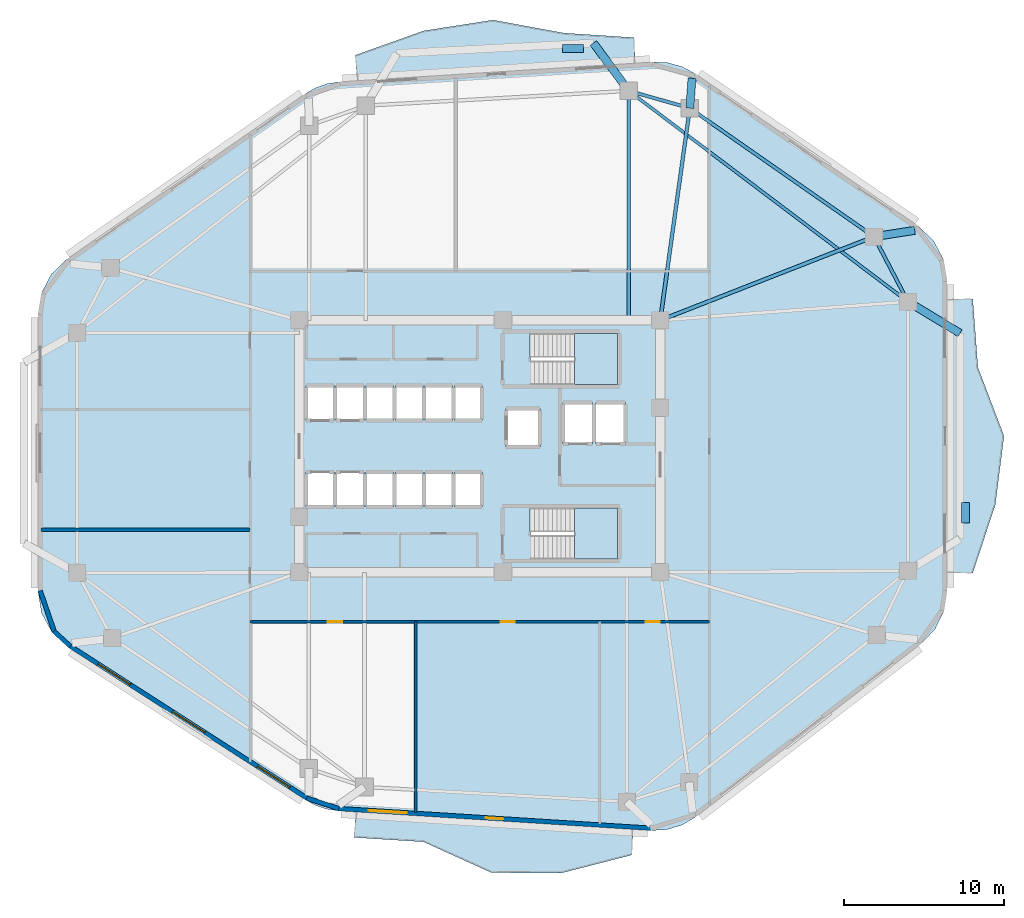
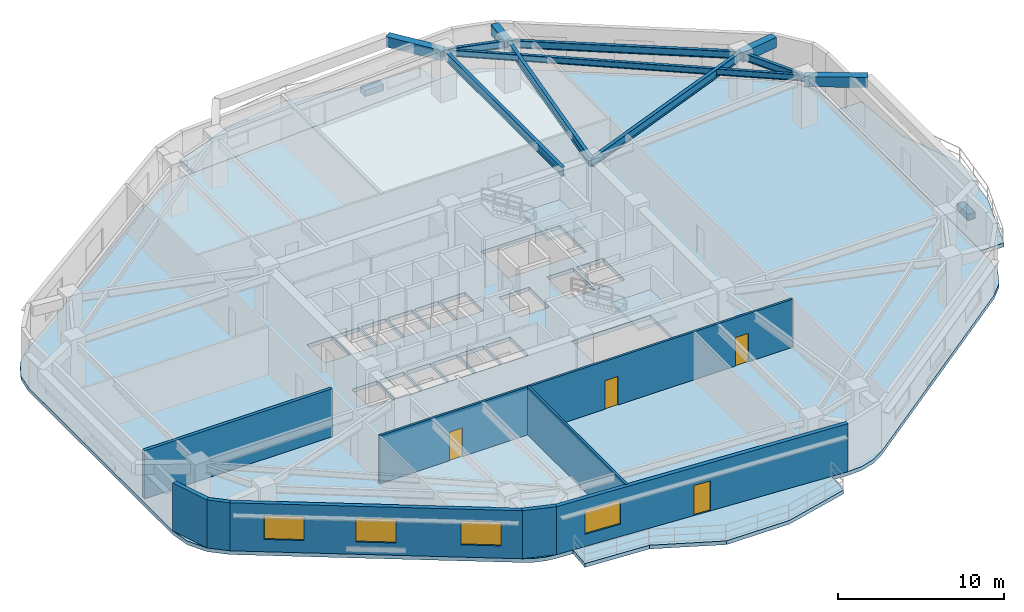
# One storey, part 2 of 8: 11 beams, 8 walls, 6 slabs, 4 doors, 4 windows, 2 plates, 8 openings, 2 elements without a shape of their own.
"""IFC4 building model written with IfcOpenShell, lengths in metres."""

import ifcopenshell
import ifcopenshell.guid

model = None  # the IFC model being written
_history = None  # IfcOwnerHistory: only IFC2X3 demands one
_inside = {}  # id of a spatial element -> (the spatial element, [elements in it])
_under = {}  # id of a project, library or spatial element -> (it, [spatial elements below it])
_declared = {}  # id of a project -> (the project, [libraries it declares])
_typed = {}  # id of a type object -> (the type object, [elements of that type])
_made_of = {}  # id of a material, layer set ... -> (it, [elements and type objects made of it])


def new_model(schema):
    """Start an empty IFC model of exactly this schema.

    Asked for "IFC4X3", IfcOpenShell would pick the latest addendum, in which some entities
    have other attributes; the version numbers below select the first issue.
    IFC2X3 requires an IfcOwnerHistory on every rooted entity: one is made here for all.
    """
    global model, _history
    if schema == "IFC4X3":
        model = ifcopenshell.file(schema_version=(4, 3, 0, 0))
    else:
        model = ifcopenshell.file(schema=schema)
    _inside.clear()
    _under.clear()
    _declared.clear()
    _typed.clear()
    _made_of.clear()
    _history = None
    if model.schema == "IFC2X3":
        org = make("IfcOrganization", Name="unknown")
        user = make(
            "IfcPersonAndOrganization",
            ThePerson=make("IfcPerson", FamilyName="unknown"),
            TheOrganization=org,
        )
        app = make(
            "IfcApplication",
            ApplicationDeveloper=org,
            Version="unknown",
            ApplicationFullName="unknown",
            ApplicationIdentifier="unknown",
        )
        _history = make(
            "IfcOwnerHistory",
            OwningUser=user,
            OwningApplication=app,
            ChangeAction="ADDED",
            CreationDate=0,
        )
    return model


def make(cls, **values):
    """One entity of the class cls with the attributes given. An attribute that is None is left unset."""
    return model.create_entity(
        cls, **{name: value for name, value in values.items() if value is not None}
    )


def rooted(cls, **values):
    """An entity with a GlobalId (a new one), such as an element, a storey or a relation."""
    return make(cls, GlobalId=ifcopenshell.guid.new(), OwnerHistory=_history, **values)


def si_unit(unit_type, name, prefix=None):
    """IfcSIUnit, for example si_unit("LENGTHUNIT", "METRE", prefix="MILLI")."""
    return make("IfcSIUnit", UnitType=unit_type, Prefix=prefix, Name=name)


def assignment(units):
    """IfcUnitAssignment: the units of a project."""
    return None if units is None else make("IfcUnitAssignment", Units=units)


def point(xyz):
    """IfcCartesianPoint."""
    return None if xyz is None else make("IfcCartesianPoint", Coordinates=xyz)


def direction(xyz):
    """IfcDirection."""
    return None if xyz is None else make("IfcDirection", DirectionRatios=xyz)


def frame(location, z_axis=None, x_axis=None):
    """IfcAxis2Placement3D, a coordinate frame: its origin and axes. An axis left out is left unset."""
    return make(
        "IfcAxis2Placement3D",
        Location=point(location),
        Axis=direction(z_axis),
        RefDirection=direction(x_axis),
    )


def frame_2d(location, x_axis=None):
    """IfcAxis2Placement2D, a coordinate frame in the plane: its origin and x axis."""
    return make(
        "IfcAxis2Placement2D", Location=point(location), RefDirection=direction(x_axis)
    )


def origin():
    """The frame at (0, 0, 0) with its axes left unset."""
    return frame((0.0, 0.0, 0.0))


def origin_2d():
    """The frame at (0, 0) in the plane with its x axis left unset."""
    return frame_2d((0.0, 0.0))


def place(relative_to, where):
    """IfcLocalPlacement: puts the frame where relative to a parent placement (None: the world)."""
    return make(
        "IfcLocalPlacement", PlacementRelTo=relative_to, RelativePlacement=where
    )


def context(
    kind, dimensions, precision=None, world=None, true_north=None, identifier=None
):
    """IfcGeometricRepresentationContext, for example the 3D "Model" context."""
    return make(
        "IfcGeometricRepresentationContext",
        ContextIdentifier=identifier,
        ContextType=kind,
        CoordinateSpaceDimension=dimensions,
        Precision=precision,
        WorldCoordinateSystem=world,
        TrueNorth=true_north,
    )


def subcontext(parent, identifier, kind, view, scale=None):
    """IfcGeometricRepresentationSubContext, for example "Body" below "Model"."""
    return make(
        "IfcGeometricRepresentationSubContext",
        ContextIdentifier=identifier,
        ContextType=kind,
        ParentContext=parent,
        TargetScale=scale,
        TargetView=view,
    )


def project(units=None, contexts=None):
    """IfcProject with its units and contexts."""
    return rooted(
        "IfcProject",
        Name="project",
        RepresentationContexts=contexts,
        UnitsInContext=assignment(units),
    )


def spatial(cls, under=None, at=None, **own):
    """A site, building, storey or space (cls), placed at a placement, below another one or the project."""
    s = rooted(cls, ObjectPlacement=at, **own)
    if under is not None:
        _under.setdefault(under.id(), (under, []))[1].append(s)
    return s


def polyline(points):
    """IfcPolyline through the points."""
    return make("IfcPolyline", Points=[point(p) for p in points])


def profile(cls, at=None, kind="AREA", **sizes):
    """A parametric profile (cls). Its sizes go by their IFC names, for example OverallWidth=200.0."""
    return make(cls, ProfileType=kind, Position=at, **sizes)


def rectangle(**sizes):
    """IfcRectangleProfileDef."""
    return profile("IfcRectangleProfileDef", **sizes)


def i_section(**sizes):
    """IfcIShapeProfileDef."""
    return profile("IfcIShapeProfileDef", **sizes)


def outline(outer, holes=None, kind="AREA"):
    """IfcArbitraryClosedProfileDef: a profile drawn as a closed curve; with holes, ...WithVoids."""
    if holes is None:
        return make("IfcArbitraryClosedProfileDef", ProfileType=kind, OuterCurve=outer)
    return make(
        "IfcArbitraryProfileDefWithVoids",
        ProfileType=kind,
        OuterCurve=outer,
        InnerCurves=holes,
    )


def extrude(swept, where, along, depth):
    """IfcExtrudedAreaSolid: the profile swept, set in the frame where, extruded along a direction by depth."""
    return make(
        "IfcExtrudedAreaSolid",
        SweptArea=swept,
        Position=where,
        ExtrudedDirection=direction(along),
        Depth=depth,
    )


def shape(context_of_items, identifier, shape_type, items):
    """IfcShapeRepresentation: the items that make up one representation, for example the "Body"."""
    return make(
        "IfcShapeRepresentation",
        ContextOfItems=context_of_items,
        RepresentationIdentifier=identifier,
        RepresentationType=shape_type,
        Items=items,
    )


def material(Name=None, Category=None):
    """IfcMaterial."""
    return make("IfcMaterial", Name=Name, Category=Category)


def layer(
    of_material, thickness, ventilated=None, Name=None, Category=None, Priority=None
):
    """IfcMaterialLayer: one layer of a wall or slab, of a material (None: an air gap)."""
    return make(
        "IfcMaterialLayer",
        Material=of_material,
        LayerThickness=thickness,
        IsVentilated=ventilated,
        Name=Name,
        Category=Category,
        Priority=Priority,
    )


def layer_set(layers, Name=None):
    """IfcMaterialLayerSet."""
    return make("IfcMaterialLayerSet", MaterialLayers=layers, LayerSetName=Name)


def material_profile(
    of_material, cross_section, Name=None, Category=None, Priority=None
):
    """IfcMaterialProfile: a cross section and its material."""
    return make(
        "IfcMaterialProfile",
        Name=Name,
        Material=of_material,
        Profile=cross_section,
        Priority=Priority,
        Category=Category,
    )


def profile_set(profiles, Name=None, composite=None):
    """IfcMaterialProfileSet."""
    return make(
        "IfcMaterialProfileSet",
        Name=Name,
        MaterialProfiles=profiles,
        CompositeProfile=composite,
    )


def made_of(thing, what):
    """Note that an element or type object is made of a material, layer set ...; save() writes the relation."""
    if what is not None:
        _made_of.setdefault(what.id(), (what, []))[1].append(thing)
    return thing


def type_object(cls, material=None, **own):
    """A type object (cls), such as IfcWallType, which elements share."""
    return made_of(rooted(cls, **own), material)


def element(
    cls,
    number,
    at=None,
    inside=None,
    cuts=None,
    type_object=None,
    material=None,
    context=None,
    identifier="Body",
    shape_type=None,
    held_by="IfcProductDefinitionShape",
    body=None,
    shapes=None,
    **own,
):
    """One element of the class cls, such as IfcWall. Its Tag is "e" and its number.

    at: its placement. inside: the storey or other place that contains it. cuts: it is an
    opening in that element (IfcRelVoidsElement). A single representation is given by context,
    identifier, shape_type and body (its items); several are given by shapes. held_by: the class
    of the entity that holds the representations. save() writes the other relations.
    """
    e = rooted(cls, Tag="e%d" % number, ObjectPlacement=at, **own)
    if body is not None:
        shapes = [shape(context, identifier, shape_type, body)]
    if shapes is not None:
        e.Representation = make(held_by, Representations=shapes)
    if inside is not None:
        _inside.setdefault(inside.id(), (inside, []))[1].append(e)
    if cuts is not None:
        rooted(
            "IfcRelVoidsElement", RelatingBuildingElement=cuts, RelatedOpeningElement=e
        )
    if type_object is not None:
        _typed.setdefault(type_object.id(), (type_object, []))[1].append(e)
    return made_of(e, material)


def fill(opening, filler):
    """IfcRelFillsElement: the door or window that sits in an opening."""
    return rooted(
        "IfcRelFillsElement",
        RelatingOpeningElement=opening,
        RelatedBuildingElement=filler,
    )


def aggregate(whole, parts):
    """IfcRelAggregates: a whole, such as a stair, and the parts it consists of."""
    return rooted("IfcRelAggregates", RelatingObject=whole, RelatedObjects=parts)


def save(model, path):
    """Write the relations noted so far, then the file.

    IfcRelAggregates (storeys below a building ...), IfcRelContainedInSpatialStructure (elements
    in a storey), IfcRelDefinesByType, IfcRelAssociatesMaterial and IfcRelDeclares: one each for
    every whole, place, type object, material and project.
    """
    for whole, parts in _under.values():
        aggregate(whole, parts)
    for where, things in _inside.values():
        rooted(
            "IfcRelContainedInSpatialStructure",
            RelatedElements=things,
            RelatingStructure=where,
        )
    for kind, things in _typed.values():
        rooted("IfcRelDefinesByType", RelatedObjects=things, RelatingType=kind)
    for what, things in _made_of.values():
        rooted("IfcRelAssociatesMaterial", RelatedObjects=things, RelatingMaterial=what)
    for by, libraries in _declared.values():
        rooted("IfcRelDeclares", RelatingContext=by, RelatedDefinitions=libraries)
    model.write(path)


model = new_model("IFC4")

# Units and contexts
model_context = context("Model", 3, precision=1e-05, world=origin(), true_north=direction((0.0, 1.0)))
body_context = subcontext(model_context, "Body", "Model", "MODEL_VIEW")
ifc_project = project(units=[si_unit("LENGTHUNIT", "METRE"), si_unit("AREAUNIT", "SQUARE_METRE"), si_unit("VOLUMEUNIT", "CUBIC_METRE"), si_unit("PLANEANGLEUNIT", "RADIAN"), si_unit("MASSUNIT", "GRAM", prefix="KILO")], contexts=[model_context])

# Site, building, storey
site_placement = place(None, origin())
site = spatial("IfcSite", under=ifc_project, at=site_placement, CompositionType="ELEMENT")
building_placement = place(site_placement, origin())
building = spatial("IfcBuilding", under=site, at=building_placement, Name="Zulverin Broadcast Headquarters", CompositionType="ELEMENT")
storey_placement = place(building_placement, frame((0.0, 0.0, 89.60009765625)))
storey = spatial("IfcBuildingStorey", under=building, at=storey_placement, Name="L22", CompositionType="ELEMENT", Elevation=89.60009765625)

# Beams
ifc_material_1 = material(Name="Concrete C40/50", Category="concrete")
ifc_material_profile_1 = material_profile(ifc_material_1, rectangle(XDim=0.5, YDim=0.75, at=origin_2d()), Name="Concrete C40/50", Category="concrete")
ifc_profile_set_1 = profile_set([ifc_material_profile_1], Name="Concrete C40/50")
beam_type_1 = type_object("IfcBeamType", Name="BM-RC-500x750", PredefinedType="BEAM", material=ifc_profile_set_1)
beam_1_placement = place(storey_placement, frame((61.630126953125, 38.298583984375, 3.14990234375), z_axis=(0.988133444256, 0.153597839639, 0.0), x_axis=(-0.153597839639, 0.988133444256, 0.0)))
element("IfcBeam", 1, at=beam_1_placement, inside=storey, type_object=beam_type_1, Name="L23 Plate Overhang Back-Spanned Beam OVR-07", PredefinedType="BEAM", context=body_context, shape_type="SweptSolid", body=[
    extrude(rectangle(XDim=0.5, YDim=0.75, at=origin_2d()), origin(), (0.0, 0.0, 1.0), 2.57177734375),
])
beam_2_placement = place(storey_placement, frame((50.121826171875, 46.325927734375, 3.14990234375), z_axis=(0.073023006252, 0.997330256514, 0.0), x_axis=(-0.997330256514, 0.073023006252, 0.0)))
element("IfcBeam", 2, at=beam_2_placement, inside=storey, type_object=beam_type_1, Name="L23 Plate Overhang Back-Spanned Beam OVR-08", PredefinedType="BEAM", context=body_context, shape_type="SweptSolid", body=[
    extrude(rectangle(XDim=0.5, YDim=0.75, at=origin_2d()), origin(), (0.0, 0.0, 1.0), 1.875732421875),
])
beam_3_placement = place(storey_placement, frame((63.75, 34.235107421875, 3.14990234375), z_axis=(0.855593685746, -0.517647993246, 0.0), x_axis=(0.517647993246, 0.855593685746, 0.0)))
element("IfcBeam", 3, at=beam_3_placement, inside=storey, type_object=beam_type_1, Name="L23 Balcony Column-Framed Cantilever BAL_E-2", PredefinedType="BEAM", context=body_context, shape_type="SweptSolid", body=[
    extrude(rectangle(XDim=0.5, YDim=0.75, at=origin_2d()), origin(), (0.0, 0.0, 1.0), 3.800048828125),
])
beam_4_placement = place(storey_placement, frame((46.30224609375, 47.4091796875, 3.14990234375), z_axis=(-0.592976836996, 0.805219517142, 0.0), x_axis=(-0.805219517142, -0.592976836996, 0.0)))
element("IfcBeam", 4, at=beam_4_placement, inside=storey, type_object=beam_type_1, Name="L23 Balcony Column-Framed Cantilever BAL_N-1", PredefinedType="BEAM", context=body_context, shape_type="SweptSolid", body=[
    extrude(rectangle(XDim=0.5, YDim=0.75, at=origin_2d()), origin(), (0.0, 0.0, 1.0), 3.7109375),
])
ifc_material_2 = material(Name="Structural steel S355JR", Category="steel")
ifc_material_profile_2 = material_profile(ifc_material_2, i_section(OverallWidth=0.19287109375, OverallDepth=0.46728515625, WebThickness=0.011474609375, FlangeThickness=0.01953125, at=origin_2d()), Name="Structural steel S355JR", Category="steel")
ifc_profile_set_2 = profile_set([ifc_material_profile_2], Name="Structural steel S355JR")
beam_type_2 = type_object("IfcBeamType", Name="BM-UB-457", PredefinedType="JOIST", material=ifc_profile_set_2)
beam_5_placement = place(storey_placement, frame((63.75, 34.235107421875, 3.291259765625), z_axis=(-0.798058136838, 0.602580459546, 0.0), x_axis=(-0.602580459546, -0.798058136838, 0.0)))
element("IfcBeam", 5, at=beam_5_placement, inside=storey, type_object=beam_type_2, Name="L22 Chordal Floor Joist J-02", PredefinedType="JOIST", context=body_context, shape_type="SweptSolid", body=[
    extrude(i_section(OverallWidth=0.19287109375, OverallDepth=0.46728515625, WebThickness=0.011474609375, FlangeThickness=0.01953125, at=origin_2d()), origin(), (0.0, 0.0, 1.0), 21.86279296875),
])
ifc_material_profile_3 = material_profile(ifc_material_2, i_section(OverallWidth=0.2119140625, OverallDepth=0.54443359375, WebThickness=0.0126953125, FlangeThickness=0.021240234375, at=origin_2d()), Name="Structural steel S355JR", Category="steel")
ifc_profile_set_3 = profile_set([ifc_material_profile_3], Name="Structural steel S355JR")
beam_type_3 = type_object("IfcBeamType", Name="BM-UB-533", PredefinedType="SPANDREL", material=ifc_profile_set_3)
beam_6_placement = place(storey_placement, frame((63.75, 34.235107421875, 3.252685546875), z_axis=(-0.462531417359, 0.886602891917, 0.0), x_axis=(-0.886602891917, -0.462531417359, 0.0)))
element("IfcBeam", 6, at=beam_6_placement, inside=storey, type_object=beam_type_3, Name="L22 Perimeter Spandrel Beam SP-06", PredefinedType="SPANDREL", context=body_context, shape_type="SweptSolid", body=[
    extrude(i_section(OverallWidth=0.2119140625, OverallDepth=0.54443359375, WebThickness=0.0126953125, FlangeThickness=0.021240234375, at=origin_2d()), origin(), (0.0, 0.0, 1.0), 4.583251953125),
])
beam_7_placement = place(storey_placement, frame((61.630126953125, 38.298583984375, 3.252685546875), z_axis=(-0.820183915206, 0.5720999434, 0.0), x_axis=(-0.5720999434, -0.820183915206, 0.0)))
element("IfcBeam", 7, at=beam_7_placement, inside=storey, type_object=beam_type_3, Name="L22 Perimeter Spandrel Beam SP-07", PredefinedType="SPANDREL", context=body_context, shape_type="SweptSolid", body=[
    extrude(i_section(OverallWidth=0.2119140625, OverallDepth=0.54443359375, WebThickness=0.0126953125, FlangeThickness=0.021240234375, at=origin_2d()), origin(), (0.0, 0.0, 1.0), 14.03125),
])
beam_8_placement = place(storey_placement, frame((50.121826171875, 46.325927734375, 3.252685546875), z_axis=(-0.962058150721, 0.272844487999, 0.0), x_axis=(-0.272844487999, -0.962058150721, 0.0)))
element("IfcBeam", 8, at=beam_8_placement, inside=storey, type_object=beam_type_3, Name="L22 Perimeter Spandrel Beam SP-08", PredefinedType="SPANDREL", context=body_context, shape_type="SweptSolid", body=[
    extrude(i_section(OverallWidth=0.2119140625, OverallDepth=0.54443359375, WebThickness=0.0126953125, FlangeThickness=0.021240234375, at=origin_2d()), origin(), (0.0, 0.0, 1.0), 3.97021484375),
])
ifc_material_profile_4 = material_profile(ifc_material_2, i_section(OverallWidth=0.230224609375, OverallDepth=0.6171875, WebThickness=0.01318359375, FlangeThickness=0.022216796875, at=origin_2d()), Name="Structural steel S355JR", Category="steel")
ifc_profile_set_4 = profile_set([ifc_material_profile_4], Name="Structural steel S355JR")
beam_type_4 = type_object("IfcBeamType", Name="BM-UB-610", PredefinedType="BEAM", material=ifc_profile_set_4)
beam_9_placement = place(storey_placement, frame((48.27490234375, 33.074951171875, 3.21630859375), z_axis=(0.931297778153, 0.364258765723, 0.0), x_axis=(-0.364258765723, 0.931297778153, 0.0)))
element("IfcBeam", 9, at=beam_9_placement, inside=storey, type_object=beam_type_4, Name="L22 Radial Primary Floor Beam RB-07", PredefinedType="BEAM", context=body_context, shape_type="SweptSolid", body=[
    extrude(i_section(OverallWidth=0.230224609375, OverallDepth=0.6171875, WebThickness=0.01318359375, FlangeThickness=0.022216796875, at=origin_2d()), origin(), (0.0, 0.0, 1.0), 14.34033203125),
])
beam_10_placement = place(storey_placement, frame((48.27490234375, 33.074951171875, 3.21630859375), z_axis=(0.138045758193, 0.990425852169, 0.0), x_axis=(-0.990425852169, 0.138045758193, 0.0)))
element("IfcBeam", 10, at=beam_10_placement, inside=storey, type_object=beam_type_4, Name="L22 Radial Primary Floor Beam RB-08", PredefinedType="BEAM", context=body_context, shape_type="SweptSolid", body=[
    extrude(i_section(OverallWidth=0.230224609375, OverallDepth=0.6171875, WebThickness=0.01318359375, FlangeThickness=0.022216796875, at=origin_2d()), origin(), (0.0, 0.0, 1.0), 13.379150390625),
])
beam_11_placement = place(storey_placement, frame((46.30224609375, 33.074951171875, 3.21630859375), z_axis=(0.0, 1.0, 0.0), x_axis=(-1.0, 0.0, 0.0)))
element("IfcBeam", 11, at=beam_11_placement, inside=storey, type_object=beam_type_4, Name="L22 Radial Primary Floor Beam RB-09", PredefinedType="BEAM", context=body_context, shape_type="SweptSolid", body=[
    extrude(i_section(OverallWidth=0.230224609375, OverallDepth=0.6171875, WebThickness=0.01318359375, FlangeThickness=0.022216796875, at=origin_2d()), origin(), (0.0, 0.0, 1.0), 14.334228515625),
])

# Plates
ifc_material_3 = material(Name="Precast concrete C45/55", Category="concrete")
ifc_layer_1 = layer(ifc_material_3, 0.449951171875, Name="Precast concrete C45/55", Category="concrete")
ifc_layer_set_1 = layer_set([ifc_layer_1], Name="Precast concrete C45/55")
plate_type = type_object("IfcPlateType", Name="PT-01_PRECAST_GFRC_TREE_PLANTER", PredefinedType="USERDEFINED", material=ifc_layer_set_1)
for number, where, z_axis, x_axis, name in (
    (12, (67.35009765625, 21.05224609375, -0.0048828125), (0.0, 0.0, 1.0), (0.0, 1.0, 0.0), "L22 Precast GFRC Tree Planter BAL_E"),
    (13, (42.825927734375, 50.04638671875, -0.0048828125), (0.0, 0.0, 1.0), (1.0, 0.0, 0.0), "L22 Precast GFRC Tree Planter BAL_N"),
):
    element("IfcPlate", number, at=place(storey_placement, frame(where, z_axis=z_axis, x_axis=x_axis)), inside=storey, type_object=plate_type, Name=name, ObjectType="PLANTER", PredefinedType="USERDEFINED", context=body_context, shape_type="SweptSolid", body=[
        extrude(rectangle(XDim=1.300048828125, YDim=0.5, at=origin_2d()), origin(), (0.0, 0.0, 1.0), 0.449951171875),
    ])

# Slabs
ifc_layer_2 = layer(ifc_material_1, 0.27490234375, Name="Concrete C40/50", Category="concrete")
ifc_layer_set_2 = layer_set([ifc_layer_2], Name="Concrete C40/50")
slab_type_1 = type_object("IfcSlabType", Name="SLB-BAL-275", PredefinedType="FLOOR", material=ifc_layer_set_2)
slab_1_placement = place(storey_placement, frame((0.0, 0.0, -0.275146484375)))
element("IfcSlab", 14, at=slab_1_placement, inside=storey, type_object=slab_type_1, Name="L22 Cantilevered Planted Balcony Slab BAL_E", PredefinedType="FLOOR", context=body_context, shape_type="SweptSolid", body=[
    extrude(outline(polyline([(66.199951171875, 34.41455078125), (66.199951171875, 17.283447265625), (67.800048828125, 17.283447265625), (69.211181640625, 21.566162109375), (69.75, 25.848876953125), (68.121337890625, 30.131591796875), (67.800048828125, 34.41455078125), (66.199951171875, 34.41455078125)])), origin(), (0.0, 0.0, 1.0), 0.275146484375),
])
slab_2_placement = place(storey_placement, frame((0.0, 0.0, -0.275146484375)))
element("IfcSlab", 15, at=slab_2_placement, inside=storey, type_object=slab_type_1, Name="L22 Cantilevered Planted Balcony Slab BAL_S", PredefinedType="FLOOR", context=body_context, shape_type="SweptSolid", body=[
    extrude(outline(polyline([(46.5927734375, 1.268310546875), (29.250244140625, 2.3623046875), (29.149658203125, 0.765380859375), (33.485107421875, 0.491943359375), (37.717041015625, -1.42822265625), (42.067626953125, -1.4638671875), (46.4921875, -0.328369140625), (46.5927734375, 1.268310546875)])), origin(), (0.0, 0.0, 1.0), 0.275146484375),
])
slab_3_placement = place(storey_placement, frame((0.0, 0.0, -0.275146484375)))
element("IfcSlab", 16, at=slab_3_placement, inside=storey, type_object=slab_type_1, Name="L22 Cantilevered Planted Balcony Slab BAL_N", PredefinedType="FLOOR", context=body_context, shape_type="SweptSolid", body=[
    extrude(outline(polyline([(29.330078125, 48.04296875), (46.72509765625, 49.139892578125), (46.62451171875, 50.73681640625), (42.240478515625, 51.0224609375), (37.8232421875, 51.8349609375), (33.49951171875, 51.160888671875), (29.2294921875, 49.639892578125), (29.330078125, 48.04296875)])), origin(), (0.0, 0.0, 1.0), 0.275146484375),
])

# Stair, slab
stair_type = type_object("IfcStairType", Name="ST-CORE-1500", PredefinedType="HALF_TURN_STAIR", material=ifc_material_1)
stair_1_placement = place(storey_placement, origin())
stair_1 = element("IfcStair", 17, at=stair_1_placement, inside=storey, type_object=stair_type, Name="L22 Core Exit Stair ST-1", PredefinedType="HALF_TURN_STAIR")
ifc_layer_3 = layer(ifc_material_1, 0.199951171875, Name="Concrete C40/50", Category="concrete")
ifc_layer_set_3 = layer_set([ifc_layer_3], Name="Concrete C40/50")
slab_type_2 = type_object("IfcSlabType", Name="SLB-ST-LND200", PredefinedType="LANDING", material=ifc_layer_set_3)
slab_4_placement = place(storey_placement, frame((0.0, 0.0, 1.699951171875)))
slab_4 = element("IfcSlab", 18, at=slab_4_placement, type_object=slab_type_2, Name="ST-1 landing 1", PredefinedType="LANDING", context=body_context, shape_type="SweptSolid", body=[
    extrude(outline(polyline([(42.929931640625, 29.050048828125), (45.60009765625, 29.050048828125), (45.60009765625, 32.25), (42.929931640625, 32.25), (42.929931640625, 29.050048828125)])), origin(), (0.0, 0.0, 1.0), 0.199951171875),
])
aggregate(stair_1, [slab_4])

stair_2_placement = place(storey_placement, origin())
stair_2 = element("IfcStair", 19, at=stair_2_placement, inside=storey, type_object=stair_type, Name="L22 Core Exit Stair ST-2", PredefinedType="HALF_TURN_STAIR")
slab_5_placement = place(storey_placement, frame((0.0, 0.0, 1.699951171875)))
slab_5 = element("IfcSlab", 20, at=slab_5_placement, type_object=slab_type_2, Name="ST-2 landing 1", PredefinedType="LANDING", context=body_context, shape_type="SweptSolid", body=[
    extrude(outline(polyline([(42.929931640625, 18.14990234375), (45.60009765625, 18.14990234375), (45.60009765625, 21.35009765625), (42.929931640625, 21.35009765625), (42.929931640625, 18.14990234375)])), origin(), (0.0, 0.0, 1.0), 0.199951171875),
])
aggregate(stair_2, [slab_5])

# Slab
ifc_layer_4 = layer(ifc_material_1, 0.27490234375, Name="Concrete C40/50", Category="concrete")
ifc_layer_set_4 = layer_set([ifc_layer_4], Name="Concrete C40/50")
slab_type_3 = type_object("IfcSlabType", Name="SLB-TWR-275", PredefinedType="FLOOR", material=ifc_layer_set_4)
slab_6_placement = place(storey_placement, frame((0.0, 0.0, -0.275146484375)))
element("IfcSlab", 21, at=slab_6_placement, inside=storey, type_object=slab_type_3, Name="L22 Main Structural Floor Slab", PredefinedType="FLOOR", context=body_context, shape_type="SweptSolid", body=[
    extrude(outline(polyline([(26.146484375, 3.089599609375), (26.774658203125, 2.75732421875), (27.44970703125, 2.535888671875), (28.152587890625, 2.431396484375), (47.690673828125, 1.19921875), (48.69189453125, 1.256103515625), (49.6513671875, 1.548828125), (50.51416015625, 2.060546875), (64.55908203125, 12.85302734375), (65.44140625, 13.77587890625), (66.005859375, 14.92138671875), (66.199951171875, 16.183349609375), (66.199951171875, 35.514404296875), (65.981689453125, 36.85107421875), (65.349365234375, 38.048583984375), (64.368896484375, 38.982666015625), (50.456298828125, 48.485595703125), (49.639404296875, 48.920166015625), (48.747314453125, 49.165283203125), (47.822998046875, 49.208984375), (28.232421875, 47.9736328125), (27.481201171875, 47.857421875), (26.76318359375, 47.607666015625), (26.102294921875, 47.232666015625), (11.20556640625, 36.89501953125), (10.238037109375, 35.9619140625), (9.614990234375, 34.77099609375), (9.39990234375, 33.4443359375), (9.39990234375, 16.1435546875), (9.631103515625, 14.769775390625), (10.298583984375, 13.547119140625), (11.32958984375, 12.610107421875), (26.146484375, 3.089599609375)]), holes=[polyline([(40.155029296875, 30.75), (40.130126953125, 30.75), (40.130126953125, 32.25), (45.60009765625, 32.25), (45.60009765625, 29.050048828125), (40.155029296875, 29.050048828125), (40.155029296875, 30.75)]), polyline([(40.155029296875, 19.85009765625), (40.130126953125, 19.85009765625), (40.130126953125, 21.35009765625), (45.60009765625, 21.35009765625), (45.60009765625, 18.14990234375), (40.155029296875, 18.14990234375), (40.155029296875, 19.85009765625)]), polyline([(26.14990234375, 26.800048828125), (27.89990234375, 26.800048828125), (27.89990234375, 29.0), (26.14990234375, 29.0), (26.14990234375, 26.800048828125)]), polyline([(28.02001953125, 26.800048828125), (29.77001953125, 26.800048828125), (29.77001953125, 29.0), (28.02001953125, 29.0), (28.02001953125, 26.800048828125)]), polyline([(26.14990234375, 21.39990234375), (27.89990234375, 21.39990234375), (27.89990234375, 23.60009765625), (26.14990234375, 23.60009765625), (26.14990234375, 21.39990234375)]), polyline([(28.02001953125, 21.39990234375), (29.77001953125, 21.39990234375), (29.77001953125, 23.60009765625), (28.02001953125, 23.60009765625), (28.02001953125, 21.39990234375)]), polyline([(29.89990234375, 21.39990234375), (31.6201171875, 21.39990234375), (31.6201171875, 23.60009765625), (29.89990234375, 23.60009765625), (29.89990234375, 21.39990234375)]), polyline([(31.739990234375, 21.39990234375), (33.4599609375, 21.39990234375), (33.4599609375, 23.60009765625), (31.739990234375, 23.60009765625), (31.739990234375, 21.39990234375)]), polyline([(33.580078125, 21.39990234375), (35.300048828125, 21.39990234375), (35.300048828125, 23.60009765625), (33.580078125, 23.60009765625), (33.580078125, 21.39990234375)]), polyline([(35.419921875, 21.39990234375), (37.139892578125, 21.39990234375), (37.139892578125, 23.60009765625), (35.419921875, 23.60009765625), (35.419921875, 21.39990234375)]), polyline([(29.89990234375, 26.800048828125), (31.6201171875, 26.800048828125), (31.6201171875, 29.0), (29.89990234375, 29.0), (29.89990234375, 26.800048828125)]), polyline([(31.739990234375, 26.800048828125), (33.4599609375, 26.800048828125), (33.4599609375, 29.0), (31.739990234375, 29.0), (31.739990234375, 26.800048828125)]), polyline([(33.580078125, 26.800048828125), (35.300048828125, 26.800048828125), (35.300048828125, 29.0), (33.580078125, 29.0), (33.580078125, 26.800048828125)]), polyline([(35.419921875, 26.800048828125), (37.139892578125, 26.800048828125), (37.139892578125, 29.0), (35.419921875, 29.0), (35.419921875, 26.800048828125)]), polyline([(42.199951171875, 25.35009765625), (44.050048828125, 25.35009765625), (44.050048828125, 27.949951171875), (42.199951171875, 27.949951171875), (42.199951171875, 25.35009765625)]), polyline([(44.25, 25.35009765625), (46.10009765625, 25.35009765625), (46.10009765625, 27.949951171875), (44.25, 27.949951171875), (44.25, 25.35009765625)]), polyline([(38.64990234375, 25.14990234375), (40.75, 25.14990234375), (40.75, 27.550048828125), (38.64990234375, 27.550048828125), (38.64990234375, 25.14990234375)])]), origin(), (0.0, 0.0, 1.0), 0.275146484375),
])

# Wall
ifc_material_4 = material(Name="Double-stud acoustic drywall", Category="gypsum")
ifc_layer_5 = layer(ifc_material_4, 0.219970703125, Name="Double-stud acoustic drywall", Category="gypsum")
ifc_layer_set_5 = layer_set([ifc_layer_5], Name="Double-stud acoustic drywall")
wall_type_1 = type_object("IfcWallType", Name="WL-ACOU-220", PredefinedType="PARTITIONING", material=ifc_layer_set_5)
wall_1_placement = place(storey_placement, frame((9.60498046875, 20.0, 0.0), z_axis=(0.0, 0.0, 1.0), x_axis=(1.0, 0.0, 0.0)))
element("IfcWall", 22, at=wall_1_placement, inside=storey, type_object=wall_type_1, Name="L22 Room Partition Wall RP-07", PredefinedType="PARTITIONING", context=body_context, shape_type="SweptSolid", body=[
    extrude(rectangle(XDim=13.044921875, YDim=0.219970703125, at=frame_2d((6.5224609375, 0.0))), origin(), (0.0, 0.0, 1.0), 3.52490234375),
])

# Wall, openings, door, window
ifc_material_5 = material(Name="Insulated pale-metal clad concrete spandrel C40/50", Category="concrete")
ifc_layer_6 = layer(ifc_material_5, 0.280029296875, Name="Insulated pale-metal clad concrete spandrel C40/50", Category="concrete")
ifc_layer_set_6 = layer_set([ifc_layer_6], Name="Insulated pale-metal clad concrete spandrel C40/50")
wall_type_2 = type_object("IfcWallType", Name="WL-EXT-280", PredefinedType="STANDARD", material=ifc_layer_set_6)
wall_2_placement = place(storey_placement, frame((28.161376953125, 2.571044921875, 0.0), z_axis=(0.0, 0.0, 1.0), x_axis=(0.998017288298, -0.06294038654, 0.0)))
wall_2 = element("IfcWall", 23, at=wall_2_placement, inside=storey, type_object=wall_type_2, Name="L22 Pale-Metal Clad Spandrel Wall 1", PredefinedType="STANDARD", context=body_context, shape_type="SweptSolid", body=[
    extrude(rectangle(XDim=19.576904296875, YDim=0.280029296875, at=frame_2d((9.78857421875, 0.0))), origin(), (0.0, 0.0, 1.0), 3.52490234375),
])
opening_1_placement = place(wall_2_placement, frame((9.238525390625, 0.0, 0.0)))
opening_1 = element("IfcOpeningElement", 24, at=opening_1_placement, cuts=wall_2, Name="Opening D-L22-TR1", PredefinedType="OPENING", context=body_context, shape_type="SweptSolid", body=[
    extrude(rectangle(XDim=1.10009765625, YDim=2.199951171875, at=frame_2d((0.550048828125, 1.10009765625))), frame((0.0, 0.14990234375, 0.0), z_axis=(0.0, -1.0, 0.0), x_axis=(1.0, 0.0, 0.0)), (0.0, 0.0, 1.0), 0.300048828125),
])
opening_2_placement = place(wall_2_placement, frame((1.896240234375, 0.0, 0.89990234375)))
opening_2 = element("IfcOpeningElement", 25, at=opening_2_placement, cuts=wall_2, Name="Opening W-L22-E11", PredefinedType="OPENING", context=body_context, shape_type="SweptSolid", body=[
    extrude(rectangle(XDim=2.39990234375, YDim=1.75, at=frame_2d((1.199951171875, 0.875))), frame((0.0, 0.14990234375, 0.0), z_axis=(0.0, -1.0, 0.0), x_axis=(1.0, 0.0, 0.0)), (0.0, 0.0, 1.0), 0.300048828125),
])
ifc_material_6 = material(Name="Thermally broken aluminium glazed", Category="aluminium")
door_type_1 = type_object("IfcDoorType", Name="DR-TERR-1100", OperationType="SINGLE_SWING_RIGHT", PredefinedType="DOOR", material=ifc_material_6)
door_1_placement = place(opening_1_placement, origin())
door_1 = element("IfcDoor", 26, at=door_1_placement, inside=storey, type_object=door_type_1, Name="L22 Planted Terrace Glazed Access Door 1", OperationType="SINGLE_SWING_RIGHT", OverallHeight=2.199951171875, OverallWidth=1.10009765625, PredefinedType="DOOR", context=body_context, shape_type="SweptSolid", body=[
    extrude(rectangle(XDim=1.10009765625, YDim=2.199951171875, at=frame_2d((0.550048828125, 1.10009765625))), frame((0.0, 0.02490234375, 0.0), z_axis=(0.0, -1.0, 0.0), x_axis=(1.0, 0.0, 0.0)), (0.0, 0.0, 1.0), 0.050048828125),
])
fill(opening_1, door_1)
ifc_material_7 = material(Name="Pale anodized aluminium frame with solar-control low-E double glazing", Category="aluminium")
window_type = type_object("IfcWindowType", Name="WIN-RIB-2400", PartitioningType="SINGLE_PANEL", PredefinedType="WINDOW", material=ifc_material_7)
window_1_placement = place(opening_2_placement, origin())
window_1 = element("IfcWindow", 27, at=window_1_placement, inside=storey, type_object=window_type, Name="L22 Ribbon Glazing Window 1 1", OverallHeight=1.75, OverallWidth=2.39990234375, PartitioningType="SINGLE_PANEL", PredefinedType="WINDOW", context=body_context, shape_type="SweptSolid", body=[
    extrude(rectangle(XDim=2.39990234375, YDim=1.75, at=frame_2d((1.199951171875, 0.875))), frame((0.0, 0.030029296875, 0.0), z_axis=(0.0, -1.0, 0.0), x_axis=(1.0, 0.0, 0.0)), (0.0, 0.0, 1.0), 0.06005859375),
])
fill(opening_2, window_1)

# Wall, openings, windows
wall_3_placement = place(storey_placement, frame((11.4052734375, 12.727783203125, 0.0), z_axis=(0.0, 0.0, 1.0), x_axis=(0.841304564637, -0.540561402175, 0.0)))
wall_3 = element("IfcWall", 28, at=wall_3_placement, inside=storey, type_object=wall_type_2, Name="L22 Pale-Metal Clad Spandrel Wall 8", PredefinedType="STANDARD", context=body_context, shape_type="SweptSolid", body=[
    extrude(rectangle(XDim=17.61181640625, YDim=0.280029296875, at=frame_2d((8.805908203125, 0.0))), origin(), (0.0, 0.0, 1.0), 3.52490234375),
])
opening_3_placement = place(wall_3_placement, frame((2.068603515625, 0.0, 0.89990234375)))
opening_3 = element("IfcOpeningElement", 29, at=opening_3_placement, cuts=wall_3, Name="Opening W-L22-E81", PredefinedType="OPENING", context=body_context, shape_type="SweptSolid", body=[
    extrude(rectangle(XDim=2.39990234375, YDim=1.75, at=frame_2d((1.199951171875, 0.875))), frame((0.0, 0.14990234375, 0.0), z_axis=(0.0, -1.0, 0.0), x_axis=(1.0, 0.0, 0.0)), (0.0, 0.0, 1.0), 0.300048828125),
])
opening_4_placement = place(wall_3_placement, frame((7.60595703125, 0.0, 0.89990234375)))
opening_4 = element("IfcOpeningElement", 30, at=opening_4_placement, cuts=wall_3, Name="Opening W-L22-E82", PredefinedType="OPENING", context=body_context, shape_type="SweptSolid", body=[
    extrude(rectangle(XDim=2.39990234375, YDim=1.75, at=frame_2d((1.199951171875, 0.875))), frame((0.0, 0.14990234375, 0.0), z_axis=(0.0, -1.0, 0.0), x_axis=(1.0, 0.0, 0.0)), (0.0, 0.0, 1.0), 0.300048828125),
])
opening_5_placement = place(wall_3_placement, frame((13.923095703125, 0.0, 0.89990234375)))
opening_5 = element("IfcOpeningElement", 31, at=opening_5_placement, cuts=wall_3, Name="Opening W-L22-E83", PredefinedType="OPENING", context=body_context, shape_type="SweptSolid", body=[
    extrude(rectangle(XDim=2.39990234375, YDim=1.75, at=frame_2d((1.199951171875, 0.875))), frame((0.0, 0.14990234375, 0.0), z_axis=(0.0, -1.0, 0.0), x_axis=(1.0, 0.0, 0.0)), (0.0, 0.0, 1.0), 0.300048828125),
])
window_2_placement = place(opening_3_placement, origin())
window_2 = element("IfcWindow", 32, at=window_2_placement, inside=storey, type_object=window_type, Name="L22 Ribbon Glazing Window 8 1", OverallHeight=1.75, OverallWidth=2.39990234375, PartitioningType="SINGLE_PANEL", PredefinedType="WINDOW", context=body_context, shape_type="SweptSolid", body=[
    extrude(rectangle(XDim=2.39990234375, YDim=1.75, at=frame_2d((1.199951171875, 0.875))), frame((0.0, 0.030029296875, 0.0), z_axis=(0.0, -1.0, 0.0), x_axis=(1.0, 0.0, 0.0)), (0.0, 0.0, 1.0), 0.06005859375),
])
fill(opening_3, window_2)
window_3_placement = place(opening_4_placement, origin())
window_3 = element("IfcWindow", 33, at=window_3_placement, inside=storey, type_object=window_type, Name="L22 Ribbon Glazing Window 8 2", OverallHeight=1.75, OverallWidth=2.39990234375, PartitioningType="SINGLE_PANEL", PredefinedType="WINDOW", context=body_context, shape_type="SweptSolid", body=[
    extrude(rectangle(XDim=2.39990234375, YDim=1.75, at=frame_2d((1.199951171875, 0.875))), frame((0.0, 0.030029296875, 0.0), z_axis=(0.0, -1.0, 0.0), x_axis=(1.0, 0.0, 0.0)), (0.0, 0.0, 1.0), 0.06005859375),
])
fill(opening_4, window_3)
window_4_placement = place(opening_5_placement, origin())
window_4 = element("IfcWindow", 34, at=window_4_placement, inside=storey, type_object=window_type, Name="L22 Ribbon Glazing Window 8 3", OverallHeight=1.75, OverallWidth=2.39990234375, PartitioningType="SINGLE_PANEL", PredefinedType="WINDOW", context=body_context, shape_type="SweptSolid", body=[
    extrude(rectangle(XDim=2.39990234375, YDim=1.75, at=frame_2d((1.199951171875, 0.875))), frame((0.0, 0.030029296875, 0.0), z_axis=(0.0, -1.0, 0.0), x_axis=(1.0, 0.0, 0.0)), (0.0, 0.0, 1.0), 0.06005859375),
])
fill(opening_5, window_4)

# Walls
wall_4_placement = place(storey_placement, frame((9.5322265625, 16.189453125, 0.0), z_axis=(0.0, 0.0, 1.0), x_axis=(0.32708309668, -0.944995580871, 0.0)))
element("IfcWall", 35, at=wall_4_placement, inside=storey, type_object=wall_type_2, Name="L22 Wind-Shaped Corner Spandrel Wall 7-1", PredefinedType="STANDARD", context=body_context, shape_type="SweptSolid", body=[
    extrude(rectangle(XDim=2.74755859375, YDim=0.280029296875, at=frame_2d((1.373779296875, 0.0))), origin(), (0.0, 0.0, 1.0), 3.52490234375),
])
wall_5_placement = place(storey_placement, frame((10.392822265625, 13.650634765625, 0.0), z_axis=(0.0, 0.0, 1.0), x_axis=(0.74003521851, -0.672568119498, 0.0)))
element("IfcWall", 36, at=wall_5_placement, inside=storey, type_object=wall_type_2, Name="L22 Wind-Shaped Corner Spandrel Wall 7-2", PredefinedType="STANDARD", context=body_context, shape_type="SweptSolid", body=[
    extrude(rectangle(XDim=1.39306640625, YDim=0.280029296875, at=frame_2d((0.696533203125, 0.0))), origin(), (0.0, 0.0, 1.0), 3.52490234375),
])
wall_6_placement = place(storey_placement, frame((26.18994140625, 3.22265625, 0.0), z_axis=(0.0, 0.0, 1.0), x_axis=(0.95016442175, -0.311749212734, 0.0)))
element("IfcWall", 37, at=wall_6_placement, inside=storey, type_object=wall_type_2, Name="L22 Wind-Shaped Corner Spandrel Wall 8-1", PredefinedType="STANDARD", context=body_context, shape_type="SweptSolid", body=[
    extrude(rectangle(XDim=2.111328125, YDim=0.280029296875, at=frame_2d((1.0556640625, 0.0))), origin(), (0.0, 0.0, 1.0), 3.52490234375),
])
ifc_material_8 = material(Name="Fire-rated gypsum stud partition", Category="gypsum")
ifc_layer_7 = layer(ifc_material_8, 0.14990234375, Name="Fire-rated gypsum stud partition", Category="gypsum")
ifc_layer_set_7 = layer_set([ifc_layer_7], Name="Fire-rated gypsum stud partition")
wall_type_3 = type_object("IfcWallType", Name="WL-PART-150", PredefinedType="PARTITIONING", material=ifc_layer_set_7)
wall_7_placement = place(storey_placement, frame((33.0, 2.330810546875, 0.0), z_axis=(0.0, 0.0, 1.0), x_axis=(0.0, 1.0, 0.0)))
element("IfcWall", 38, at=wall_7_placement, inside=storey, type_object=wall_type_3, Name="L22 Room Partition Wall RP-04", PredefinedType="PARTITIONING", context=body_context, shape_type="SweptSolid", body=[
    extrude(rectangle(XDim=11.919189453125, YDim=0.14990234375, at=frame_2d((5.95947265625, 0.0))), origin(), (0.0, 0.0, 1.0), 3.52490234375),
])

# Wall, openings, doors
wall_8_placement = place(storey_placement, frame((22.64990234375, 14.25, 0.0), z_axis=(0.0, 0.0, 1.0), x_axis=(1.0, 0.0, 0.0)))
wall_8 = element("IfcWall", 39, at=wall_8_placement, inside=storey, type_object=wall_type_3, Name="L22 Gallery Partition Wall CG-06", PredefinedType="PARTITIONING", context=body_context, shape_type="SweptSolid", body=[
    extrude(rectangle(XDim=28.7001953125, YDim=0.14990234375, at=frame_2d((14.35009765625, 0.0))), origin(), (0.0, 0.0, 1.0), 3.52490234375),
])
opening_6_placement = place(wall_8_placement, frame((4.844970703125, 0.0, 0.0)))
opening_6 = element("IfcOpeningElement", 40, at=opening_6_placement, cuts=wall_8, Name="Opening D-L22-03", PredefinedType="OPENING", context=body_context, shape_type="SweptSolid", body=[
    extrude(rectangle(XDim=0.89990234375, YDim=2.10009765625, at=frame_2d((0.449951171875, 1.050048828125))), frame((0.0, 0.0849609375, 0.0), z_axis=(0.0, -1.0, 0.0), x_axis=(1.0, 0.0, 0.0)), (0.0, 0.0, 1.0), 0.169921875),
])
opening_7_placement = place(wall_8_placement, frame((15.64990234375, 0.0, 0.0)))
opening_7 = element("IfcOpeningElement", 41, at=opening_7_placement, cuts=wall_8, Name="Opening D-L22-04", PredefinedType="OPENING", context=body_context, shape_type="SweptSolid", body=[
    extrude(rectangle(XDim=0.89990234375, YDim=2.10009765625, at=frame_2d((0.449951171875, 1.050048828125))), frame((0.0, 0.0849609375, 0.0), z_axis=(0.0, -1.0, 0.0), x_axis=(1.0, 0.0, 0.0)), (0.0, 0.0, 1.0), 0.169921875),
])
opening_8_placement = place(wall_8_placement, frame((24.705078125, 0.0, 0.0)))
opening_8 = element("IfcOpeningElement", 42, at=opening_8_placement, cuts=wall_8, Name="Opening D-L22-05", PredefinedType="OPENING", context=body_context, shape_type="SweptSolid", body=[
    extrude(rectangle(XDim=0.89990234375, YDim=2.10009765625, at=frame_2d((0.449951171875, 1.050048828125))), frame((0.0, 0.0849609375, 0.0), z_axis=(0.0, -1.0, 0.0), x_axis=(1.0, 0.0, 0.0)), (0.0, 0.0, 1.0), 0.169921875),
])
ifc_material_9 = material(Name="Fire-rated hardwood veneer timber leaf", Category="wood")
door_type_2 = type_object("IfcDoorType", Name="DR-ROOM-900", OperationType="SINGLE_SWING_RIGHT", PredefinedType="DOOR", material=ifc_material_9)
door_2_placement = place(opening_6_placement, origin())
door_2 = element("IfcDoor", 43, at=door_2_placement, inside=storey, type_object=door_type_2, Name="L22 Project Huddle Room Door", OperationType="SINGLE_SWING_LEFT", OverallHeight=2.10009765625, OverallWidth=0.89990234375, PredefinedType="DOOR", context=body_context, shape_type="SweptSolid", body=[
    extrude(rectangle(XDim=0.89990234375, YDim=2.10009765625, at=frame_2d((0.449951171875, 1.050048828125))), frame((0.0, 0.02490234375, 0.0), z_axis=(0.0, -1.0, 0.0), x_axis=(1.0, 0.0, 0.0)), (0.0, 0.0, 1.0), 0.050048828125),
])
fill(opening_6, door_2)
door_3_placement = place(opening_7_placement, origin())
door_3 = element("IfcDoor", 44, at=door_3_placement, inside=storey, type_object=door_type_2, Name="L22 Conference Room Door", OperationType="SINGLE_SWING_RIGHT", OverallHeight=2.10009765625, OverallWidth=0.89990234375, PredefinedType="DOOR", context=body_context, shape_type="SweptSolid", body=[
    extrude(rectangle(XDim=0.89990234375, YDim=2.10009765625, at=frame_2d((0.449951171875, 1.050048828125))), frame((0.0, 0.02490234375, 0.0), z_axis=(0.0, -1.0, 0.0), x_axis=(1.0, 0.0, 0.0)), (0.0, 0.0, 1.0), 0.050048828125),
])
fill(opening_7, door_3)
door_4_placement = place(opening_8_placement, origin())
door_4 = element("IfcDoor", 45, at=door_4_placement, inside=storey, type_object=door_type_2, Name="L22 Editorial Review Suite Door", OperationType="SINGLE_SWING_LEFT", OverallHeight=2.10009765625, OverallWidth=0.89990234375, PredefinedType="DOOR", context=body_context, shape_type="SweptSolid", body=[
    extrude(rectangle(XDim=0.89990234375, YDim=2.10009765625, at=frame_2d((0.449951171875, 1.050048828125))), frame((0.0, 0.02490234375, 0.0), z_axis=(0.0, -1.0, 0.0), x_axis=(1.0, 0.0, 0.0)), (0.0, 0.0, 1.0), 0.050048828125),
])
fill(opening_8, door_4)

save(model, "model.ifc")
